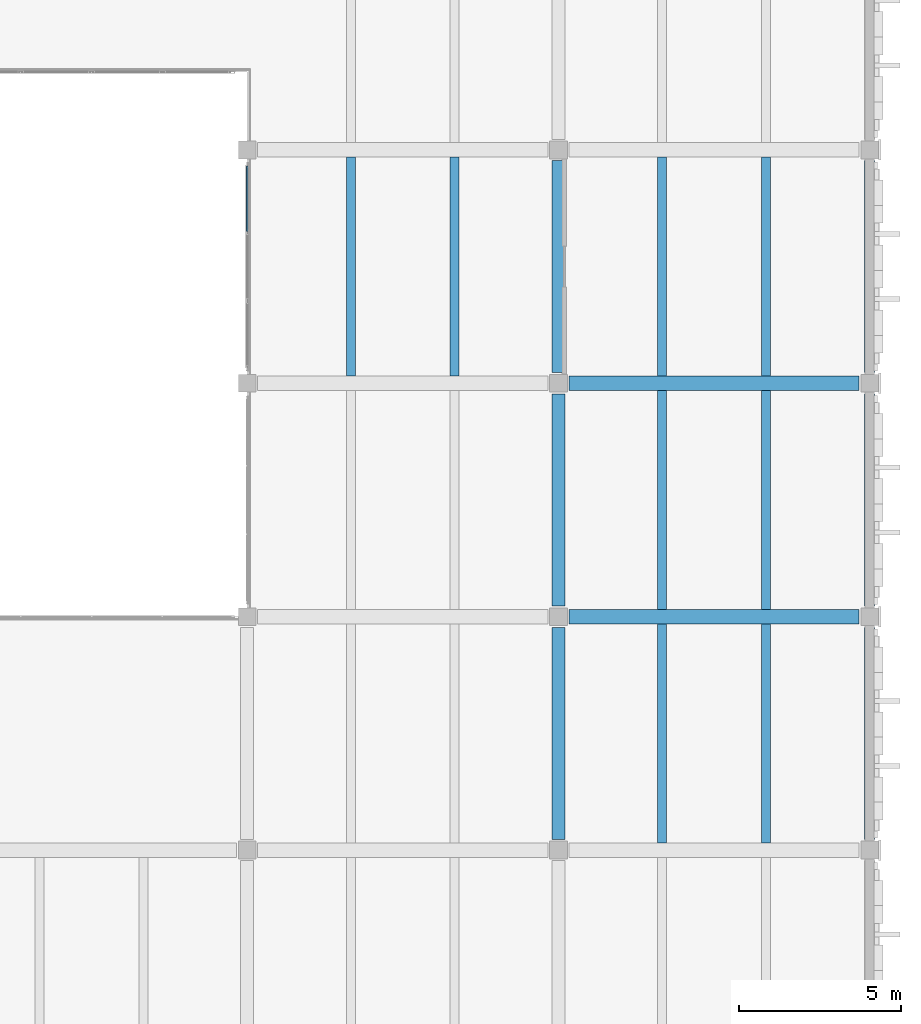
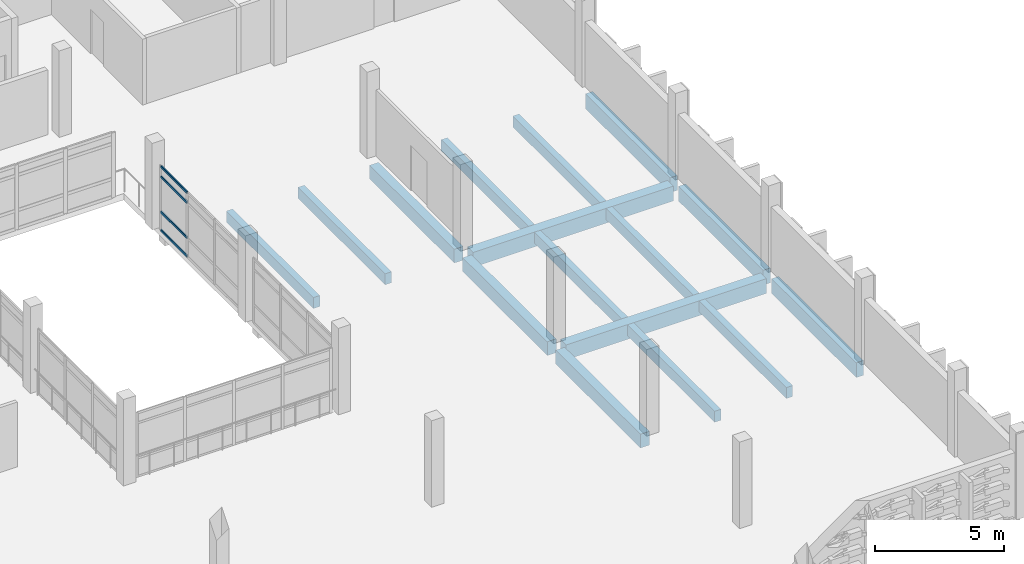
# One storey, part 32 of 72: 16 beams, 4 members, 1 element without a shape of its own.
"""IFC4 building model written with IfcOpenShell, lengths in metres."""

import ifcopenshell
import ifcopenshell.guid

model = None  # the IFC model being written
_history = None  # IfcOwnerHistory: only IFC2X3 demands one
_inside = {}  # id of a spatial element -> (the spatial element, [elements in it])
_under = {}  # id of a project, library or spatial element -> (it, [spatial elements below it])
_declared = {}  # id of a project -> (the project, [libraries it declares])
_typed = {}  # id of a type object -> (the type object, [elements of that type])
_made_of = {}  # id of a material, layer set ... -> (it, [elements and type objects made of it])


def new_model(schema):
    """Start an empty IFC model of exactly this schema.

    Asked for "IFC4X3", IfcOpenShell would pick the latest addendum, in which some entities
    have other attributes; the version numbers below select the first issue.
    IFC2X3 requires an IfcOwnerHistory on every rooted entity: one is made here for all.
    """
    global model, _history
    if schema == "IFC4X3":
        model = ifcopenshell.file(schema_version=(4, 3, 0, 0))
    else:
        model = ifcopenshell.file(schema=schema)
    _inside.clear()
    _under.clear()
    _declared.clear()
    _typed.clear()
    _made_of.clear()
    _history = None
    if model.schema == "IFC2X3":
        org = make("IfcOrganization", Name="unknown")
        user = make(
            "IfcPersonAndOrganization",
            ThePerson=make("IfcPerson", FamilyName="unknown"),
            TheOrganization=org,
        )
        app = make(
            "IfcApplication",
            ApplicationDeveloper=org,
            Version="unknown",
            ApplicationFullName="unknown",
            ApplicationIdentifier="unknown",
        )
        _history = make(
            "IfcOwnerHistory",
            OwningUser=user,
            OwningApplication=app,
            ChangeAction="ADDED",
            CreationDate=0,
        )
    return model


def make(cls, **values):
    """One entity of the class cls with the attributes given. An attribute that is None is left unset."""
    return model.create_entity(
        cls, **{name: value for name, value in values.items() if value is not None}
    )


def rooted(cls, **values):
    """An entity with a GlobalId (a new one), such as an element, a storey or a relation."""
    return make(cls, GlobalId=ifcopenshell.guid.new(), OwnerHistory=_history, **values)


def si_unit(unit_type, name, prefix=None):
    """IfcSIUnit, for example si_unit("LENGTHUNIT", "METRE", prefix="MILLI")."""
    return make("IfcSIUnit", UnitType=unit_type, Prefix=prefix, Name=name)


def assignment(units):
    """IfcUnitAssignment: the units of a project."""
    return None if units is None else make("IfcUnitAssignment", Units=units)


def point(xyz):
    """IfcCartesianPoint."""
    return None if xyz is None else make("IfcCartesianPoint", Coordinates=xyz)


def direction(xyz):
    """IfcDirection."""
    return None if xyz is None else make("IfcDirection", DirectionRatios=xyz)


def frame(location, z_axis=None, x_axis=None):
    """IfcAxis2Placement3D, a coordinate frame: its origin and axes. An axis left out is left unset."""
    return make(
        "IfcAxis2Placement3D",
        Location=point(location),
        Axis=direction(z_axis),
        RefDirection=direction(x_axis),
    )


def frame_2d(location, x_axis=None):
    """IfcAxis2Placement2D, a coordinate frame in the plane: its origin and x axis."""
    return make(
        "IfcAxis2Placement2D", Location=point(location), RefDirection=direction(x_axis)
    )


def origin():
    """The frame at (0, 0, 0) with its axes left unset."""
    return frame((0.0, 0.0, 0.0))


def origin_2d():
    """The frame at (0, 0) in the plane with its x axis left unset."""
    return frame_2d((0.0, 0.0))


def place(relative_to, where):
    """IfcLocalPlacement: puts the frame where relative to a parent placement (None: the world)."""
    return make(
        "IfcLocalPlacement", PlacementRelTo=relative_to, RelativePlacement=where
    )


def context(
    kind, dimensions, precision=None, world=None, true_north=None, identifier=None
):
    """IfcGeometricRepresentationContext, for example the 3D "Model" context."""
    return make(
        "IfcGeometricRepresentationContext",
        ContextIdentifier=identifier,
        ContextType=kind,
        CoordinateSpaceDimension=dimensions,
        Precision=precision,
        WorldCoordinateSystem=world,
        TrueNorth=true_north,
    )


def subcontext(parent, identifier, kind, view, scale=None):
    """IfcGeometricRepresentationSubContext, for example "Body" below "Model"."""
    return make(
        "IfcGeometricRepresentationSubContext",
        ContextIdentifier=identifier,
        ContextType=kind,
        ParentContext=parent,
        TargetScale=scale,
        TargetView=view,
    )


def project(units=None, contexts=None):
    """IfcProject with its units and contexts."""
    return rooted(
        "IfcProject",
        Name="project",
        RepresentationContexts=contexts,
        UnitsInContext=assignment(units),
    )


def spatial(cls, under=None, at=None, **own):
    """A site, building, storey or space (cls), placed at a placement, below another one or the project."""
    s = rooted(cls, ObjectPlacement=at, **own)
    if under is not None:
        _under.setdefault(under.id(), (under, []))[1].append(s)
    return s


def profile(cls, at=None, kind="AREA", **sizes):
    """A parametric profile (cls). Its sizes go by their IFC names, for example OverallWidth=200.0."""
    return make(cls, ProfileType=kind, Position=at, **sizes)


def rectangle(**sizes):
    """IfcRectangleProfileDef."""
    return profile("IfcRectangleProfileDef", **sizes)


def hollow_rectangle(**sizes):
    """IfcRectangleHollowProfileDef."""
    return profile("IfcRectangleHollowProfileDef", **sizes)


def extrude(swept, where, along, depth):
    """IfcExtrudedAreaSolid: the profile swept, set in the frame where, extruded along a direction by depth."""
    return make(
        "IfcExtrudedAreaSolid",
        SweptArea=swept,
        Position=where,
        ExtrudedDirection=direction(along),
        Depth=depth,
    )


def shape(context_of_items, identifier, shape_type, items):
    """IfcShapeRepresentation: the items that make up one representation, for example the "Body"."""
    return make(
        "IfcShapeRepresentation",
        ContextOfItems=context_of_items,
        RepresentationIdentifier=identifier,
        RepresentationType=shape_type,
        Items=items,
    )


def material(Name=None, Category=None):
    """IfcMaterial."""
    return make("IfcMaterial", Name=Name, Category=Category)


def layer(
    of_material, thickness, ventilated=None, Name=None, Category=None, Priority=None
):
    """IfcMaterialLayer: one layer of a wall or slab, of a material (None: an air gap)."""
    return make(
        "IfcMaterialLayer",
        Material=of_material,
        LayerThickness=thickness,
        IsVentilated=ventilated,
        Name=Name,
        Category=Category,
        Priority=Priority,
    )


def layer_set(layers, Name=None):
    """IfcMaterialLayerSet."""
    return make("IfcMaterialLayerSet", MaterialLayers=layers, LayerSetName=Name)


def material_profile(
    of_material, cross_section, Name=None, Category=None, Priority=None
):
    """IfcMaterialProfile: a cross section and its material."""
    return make(
        "IfcMaterialProfile",
        Name=Name,
        Material=of_material,
        Profile=cross_section,
        Priority=Priority,
        Category=Category,
    )


def profile_set(profiles, Name=None, composite=None):
    """IfcMaterialProfileSet."""
    return make(
        "IfcMaterialProfileSet",
        Name=Name,
        MaterialProfiles=profiles,
        CompositeProfile=composite,
    )


def made_of(thing, what):
    """Note that an element or type object is made of a material, layer set ...; save() writes the relation."""
    if what is not None:
        _made_of.setdefault(what.id(), (what, []))[1].append(thing)
    return thing


def type_object(cls, material=None, **own):
    """A type object (cls), such as IfcWallType, which elements share."""
    return made_of(rooted(cls, **own), material)


def element(
    cls,
    number,
    at=None,
    inside=None,
    cuts=None,
    type_object=None,
    material=None,
    context=None,
    identifier="Body",
    shape_type=None,
    held_by="IfcProductDefinitionShape",
    body=None,
    shapes=None,
    **own,
):
    """One element of the class cls, such as IfcWall. Its Tag is "e" and its number.

    at: its placement. inside: the storey or other place that contains it. cuts: it is an
    opening in that element (IfcRelVoidsElement). A single representation is given by context,
    identifier, shape_type and body (its items); several are given by shapes. held_by: the class
    of the entity that holds the representations. save() writes the other relations.
    """
    e = rooted(cls, Tag="e%d" % number, ObjectPlacement=at, **own)
    if body is not None:
        shapes = [shape(context, identifier, shape_type, body)]
    if shapes is not None:
        e.Representation = make(held_by, Representations=shapes)
    if inside is not None:
        _inside.setdefault(inside.id(), (inside, []))[1].append(e)
    if cuts is not None:
        rooted(
            "IfcRelVoidsElement", RelatingBuildingElement=cuts, RelatedOpeningElement=e
        )
    if type_object is not None:
        _typed.setdefault(type_object.id(), (type_object, []))[1].append(e)
    return made_of(e, material)


def aggregate(whole, parts):
    """IfcRelAggregates: a whole, such as a stair, and the parts it consists of."""
    return rooted("IfcRelAggregates", RelatingObject=whole, RelatedObjects=parts)


def save(model, path):
    """Write the relations noted so far, then the file.

    IfcRelAggregates (storeys below a building ...), IfcRelContainedInSpatialStructure (elements
    in a storey), IfcRelDefinesByType, IfcRelAssociatesMaterial and IfcRelDeclares: one each for
    every whole, place, type object, material and project.
    """
    for whole, parts in _under.values():
        aggregate(whole, parts)
    for where, things in _inside.values():
        rooted(
            "IfcRelContainedInSpatialStructure",
            RelatedElements=things,
            RelatingStructure=where,
        )
    for kind, things in _typed.values():
        rooted("IfcRelDefinesByType", RelatedObjects=things, RelatingType=kind)
    for what, things in _made_of.values():
        rooted("IfcRelAssociatesMaterial", RelatedObjects=things, RelatingMaterial=what)
    for by, libraries in _declared.values():
        rooted("IfcRelDeclares", RelatingContext=by, RelatedDefinitions=libraries)
    model.write(path)


model = new_model("IFC4")

# Units and contexts
model_context = context("Model", 3, precision=1e-05, world=origin(), true_north=direction((0.0, 1.0)))
body_context = subcontext(model_context, "Body", "Model", "MODEL_VIEW")
ifc_project = project(units=[si_unit("LENGTHUNIT", "METRE"), si_unit("AREAUNIT", "SQUARE_METRE"), si_unit("VOLUMEUNIT", "CUBIC_METRE"), si_unit("PLANEANGLEUNIT", "RADIAN"), si_unit("MASSUNIT", "GRAM", prefix="KILO")], contexts=[model_context])

# Site, building, storey
site_placement = place(None, origin())
site = spatial("IfcSite", under=ifc_project, at=site_placement, CompositionType="ELEMENT")
building_placement = place(site_placement, origin())
building = spatial("IfcBuilding", under=site, at=building_placement, Name="Asteropetra Specialist Clinic", CompositionType="ELEMENT")
storey_placement = place(building_placement, frame((0.0, 0.0, 12.580078125)))
storey = spatial("IfcBuildingStorey", under=building, at=storey_placement, Name="L03", CompositionType="ELEMENT", Elevation=12.580078125)

# Beams
ifc_material_1 = material(Name="Concrete C35/45", Category="concrete")
ifc_material_profile_1 = material_profile(ifc_material_1, rectangle(XDim=0.39990234375, YDim=0.64990234375, at=origin_2d()), Name="RCB 400x650")
ifc_profile_set_1 = profile_set([ifc_material_profile_1], Name="Concrete C35/45")
beam_type_1 = type_object("IfcBeamType", Name="BM-RC400x650", PredefinedType="BEAM", material=ifc_profile_set_1)
for number, where, z_axis, x_axis, name in (
    (1, (144.0, 12.324951171875, -0.625), (0.0, 1.0, 0.0), (-1.0, 0.0, 0.0), "Beam BBM07-1511"),
    (2, (144.0, 19.52490234375, -0.625), (0.0, 1.0, 0.0), (-1.0, 0.0, 0.0), "Beam BBM07-1521"),
):
    element("IfcBeam", number, at=place(storey_placement, frame(where, z_axis=z_axis, x_axis=x_axis)), inside=storey, type_object=beam_type_1, Name=name, PredefinedType="BEAM", context=body_context, shape_type="SweptSolid", body=[
        extrude(rectangle(XDim=0.39990234375, YDim=0.64990234375, at=origin_2d()), origin(), (0.0, 0.0, 1.0), 6.550048828125),
    ])
beam_1_placement = place(storey_placement, frame((144.0, 26.72509765625, -0.625), z_axis=(0.0, 1.0, 0.0), x_axis=(-1.0, 0.0, 0.0)))
element("IfcBeam", 3, at=beam_1_placement, inside=storey, type_object=beam_type_1, Name="Beam BBM07-1533", PredefinedType="BEAM", context=body_context, shape_type="SweptSolid", body=[
    extrude(rectangle(XDim=0.39990234375, YDim=0.64990234375, at=origin_2d()), origin(), (0.0, 0.0, 1.0), 6.5498046875),
])
ifc_material_2 = material(Name="Concrete C35/45", Category="concrete")
ifc_material_profile_2 = material_profile(ifc_material_2, rectangle(XDim=0.449951171875, YDim=0.699951171875, at=origin_2d()), Name="RCB 450x700")
ifc_profile_set_2 = profile_set([ifc_material_profile_2], Name="Concrete C35/45")
beam_type_2 = type_object("IfcBeamType", Name="BM-RC450x700", PredefinedType="BEAM", material=ifc_profile_set_2)
for number, where, z_axis, x_axis, name in (
    (4, (144.324951171875, 19.199951171875, -0.650146484375), (1.0, 0.0, 0.0), (0.0, 1.0, 0.0), "Beam BBM05-1456"),
    (5, (144.324951171875, 26.39990234375, -0.650146484375), (1.0, 0.0, 0.0), (0.0, 1.0, 0.0), "Beam BBM05-1460"),
):
    element("IfcBeam", number, at=place(storey_placement, frame(where, z_axis=z_axis, x_axis=x_axis)), inside=storey, type_object=beam_type_2, Name=name, PredefinedType="BEAM", context=body_context, shape_type="SweptSolid", body=[
        extrude(rectangle(XDim=0.449951171875, YDim=0.699951171875, at=origin_2d()), origin(), (0.0, 0.0, 1.0), 8.949951171875),
    ])

# Curtain wall, members
ifc_material_3 = material(Name="Aluminium and low-E glass", Category="aluminium")
ifc_layer = layer(ifc_material_3, 0.135009765625)
ifc_layer_set = layer_set([ifc_layer], Name="Aluminium and low-E glass")
curtain_wall_type = type_object("IfcCurtainWallType", Name="CW-SYS-12", PredefinedType="USERDEFINED", material=ifc_layer_set)
curtain_wall_placement = place(storey_placement, origin())
curtain_wall = element("IfcCurtainWall", 6, at=curtain_wall_placement, inside=storey, type_object=curtain_wall_type, Name="Curtain Wall CW-088", ObjectType="STICK GLAZED COLONNADE", PredefinedType="USERDEFINED")
ifc_material_4 = material(Name="Aluminium 6063-T6", Category="aluminium")
ifc_material_profile_3 = material_profile(ifc_material_4, hollow_rectangle(XDim=0.06494140625, YDim=0.1201171875, WallThickness=0.00390625, InnerFilletRadius=0.00390625, OuterFilletRadius=0.008056640625, at=origin_2d()), Name="TRN 120x65x4.0")
ifc_profile_set_3 = profile_set([ifc_material_profile_3], Name="Aluminium 6063-T6")
member_type = type_object("IfcMemberType", Name="CWT-120x65", PredefinedType="USERDEFINED", material=ifc_profile_set_3)
member_1_placement = place(storey_placement, frame((134.39990234375, 31.08740234375, 0.032470703125), z_axis=(0.0, 1.0, 0.0), x_axis=(-1.0, 0.0, 0.0)))
member_1 = element("IfcMember", 7, at=member_1_placement, type_object=member_type, Name="CW-088 transom 3.1", ObjectType="TRANSOM", PredefinedType="USERDEFINED", context=body_context, shape_type="SweptSolid", body=[
    extrude(hollow_rectangle(XDim=0.06494140625, YDim=0.1201171875, WallThickness=0.00390625, InnerFilletRadius=0.00390625, OuterFilletRadius=0.008056640625, at=origin_2d()), origin(), (0.0, 0.0, 1.0), 2.0126953125),
])
member_2_placement = place(storey_placement, frame((134.39990234375, 31.08740234375, 0.89990234375), z_axis=(0.0, 1.0, 0.0), x_axis=(-1.0, 0.0, 0.0)))
member_2 = element("IfcMember", 8, at=member_2_placement, type_object=member_type, Name="CW-088 transom 3.2", ObjectType="TRANSOM", PredefinedType="USERDEFINED", context=body_context, shape_type="SweptSolid", body=[
    extrude(hollow_rectangle(XDim=0.06494140625, YDim=0.1201171875, WallThickness=0.00390625, InnerFilletRadius=0.00390625, OuterFilletRadius=0.008056640625, at=origin_2d()), origin(), (0.0, 0.0, 1.0), 2.0126953125),
])
member_3_placement = place(storey_placement, frame((134.39990234375, 31.08740234375, 2.559814453125), z_axis=(0.0, 1.0, 0.0), x_axis=(-1.0, 0.0, 0.0)))
member_3 = element("IfcMember", 9, at=member_3_placement, type_object=member_type, Name="CW-088 transom 3.3", ObjectType="TRANSOM", PredefinedType="USERDEFINED", context=body_context, shape_type="SweptSolid", body=[
    extrude(hollow_rectangle(XDim=0.06494140625, YDim=0.1201171875, WallThickness=0.00390625, InnerFilletRadius=0.00390625, OuterFilletRadius=0.008056640625, at=origin_2d()), origin(), (0.0, 0.0, 1.0), 2.0126953125),
])
member_4_placement = place(storey_placement, frame((134.39990234375, 31.08740234375, 3.02734375), z_axis=(0.0, 1.0, 0.0), x_axis=(-1.0, 0.0, 0.0)))
member_4 = element("IfcMember", 10, at=member_4_placement, type_object=member_type, Name="CW-088 transom 3.4", ObjectType="TRANSOM", PredefinedType="USERDEFINED", context=body_context, shape_type="SweptSolid", body=[
    extrude(hollow_rectangle(XDim=0.06494140625, YDim=0.1201171875, WallThickness=0.00390625, InnerFilletRadius=0.00390625, OuterFilletRadius=0.008056640625, at=origin_2d()), origin(), (0.0, 0.0, 1.0), 2.0126953125),
])
aggregate(curtain_wall, [member_1, member_2, member_3, member_4])

# Beams
ifc_material_5 = material(Name="Concrete C35/45", Category="concrete")
ifc_material_profile_4 = material_profile(ifc_material_5, rectangle(XDim=0.280029296875, YDim=0.52001953125, at=origin_2d()), Name="RCJ 280x520")
ifc_profile_set_4 = profile_set([ifc_material_profile_4], Name="Concrete C35/45")
beam_type_3 = type_object("IfcBeamType", Name="JST-RC280x520", PredefinedType="JOIST", material=ifc_profile_set_4)
for number, where, z_axis, x_axis, name in (
    (11, (147.199951171875, 12.22509765625, -0.56005859375), (0.0, 1.0, 0.0), (-1.0, 0.0, 0.0), "Joist JJST01-1517"),
    (12, (150.39990234375, 12.22509765625, -0.56005859375), (0.0, 1.0, 0.0), (-1.0, 0.0, 0.0), "Joist JJST01-1518"),
    (13, (147.199951171875, 19.425048828125, -0.56005859375), (0.0, 1.0, 0.0), (-1.0, 0.0, 0.0), "Joist JJST01-1529"),
    (14, (150.39990234375, 19.425048828125, -0.56005859375), (0.0, 1.0, 0.0), (-1.0, 0.0, 0.0), "Joist JJST01-1530"),
    (15, (137.60009765625, 26.625, -0.56005859375), (0.0, 1.0, 0.0), (-1.0, 0.0, 0.0), "Joist JJST01-1539"),
    (16, (140.800048828125, 26.625, -0.56005859375), (0.0, 1.0, 0.0), (-1.0, 0.0, 0.0), "Joist JJST01-1540"),
    (17, (147.199951171875, 26.625, -0.56005859375), (0.0, 1.0, 0.0), (-1.0, 0.0, 0.0), "Joist JJST01-1541"),
    (18, (150.39990234375, 26.625, -0.56005859375), (0.0, 1.0, 0.0), (-1.0, 0.0, 0.0), "Joist JJST01-1542"),
):
    element("IfcBeam", number, at=place(storey_placement, frame(where, z_axis=z_axis, x_axis=x_axis)), inside=storey, type_object=beam_type_3, Name=name, PredefinedType="JOIST", context=body_context, shape_type="SweptSolid", body=[
        extrude(rectangle(XDim=0.280029296875, YDim=0.52001953125, at=origin_2d()), origin(), (0.0, 0.0, 1.0), 6.75),
    ])
ifc_material_6 = material(Name="Concrete C35/45", Category="concrete")
ifc_material_profile_5 = material_profile(ifc_material_6, rectangle(XDim=0.320068359375, YDim=0.699951171875, at=origin_2d()), Name="RCS 320x700")
ifc_profile_set_5 = profile_set([ifc_material_profile_5], Name="Concrete C35/45")
beam_type_4 = type_object("IfcBeamType", Name="SPN-RC320x700", PredefinedType="SPANDREL", material=ifc_profile_set_5)
for number, where, z_axis, x_axis, name in (
    (19, (153.60009765625, 12.324951171875, -0.650146484375), (0.0, 1.0, 0.0), (-1.0, 0.0, 0.0), "Beam BSPN02-1512"),
    (20, (153.60009765625, 19.52490234375, -0.650146484375), (0.0, 1.0, 0.0), (-1.0, 0.0, 0.0), "Beam BSPN02-1522"),
):
    element("IfcBeam", number, at=place(storey_placement, frame(where, z_axis=z_axis, x_axis=x_axis)), inside=storey, type_object=beam_type_4, Name=name, PredefinedType="SPANDREL", context=body_context, shape_type="SweptSolid", body=[
        extrude(rectangle(XDim=0.320068359375, YDim=0.699951171875, at=origin_2d()), origin(), (0.0, 0.0, 1.0), 6.550048828125),
    ])
beam_2_placement = place(storey_placement, frame((153.60009765625, 26.72509765625, -0.650146484375), z_axis=(0.0, 1.0, 0.0), x_axis=(-1.0, 0.0, 0.0)))
element("IfcBeam", 21, at=beam_2_placement, inside=storey, type_object=beam_type_4, Name="Beam BSPN02-1534", PredefinedType="SPANDREL", context=body_context, shape_type="SweptSolid", body=[
    extrude(rectangle(XDim=0.320068359375, YDim=0.699951171875, at=origin_2d()), origin(), (0.0, 0.0, 1.0), 6.5498046875),
])

save(model, "model.ifc")
